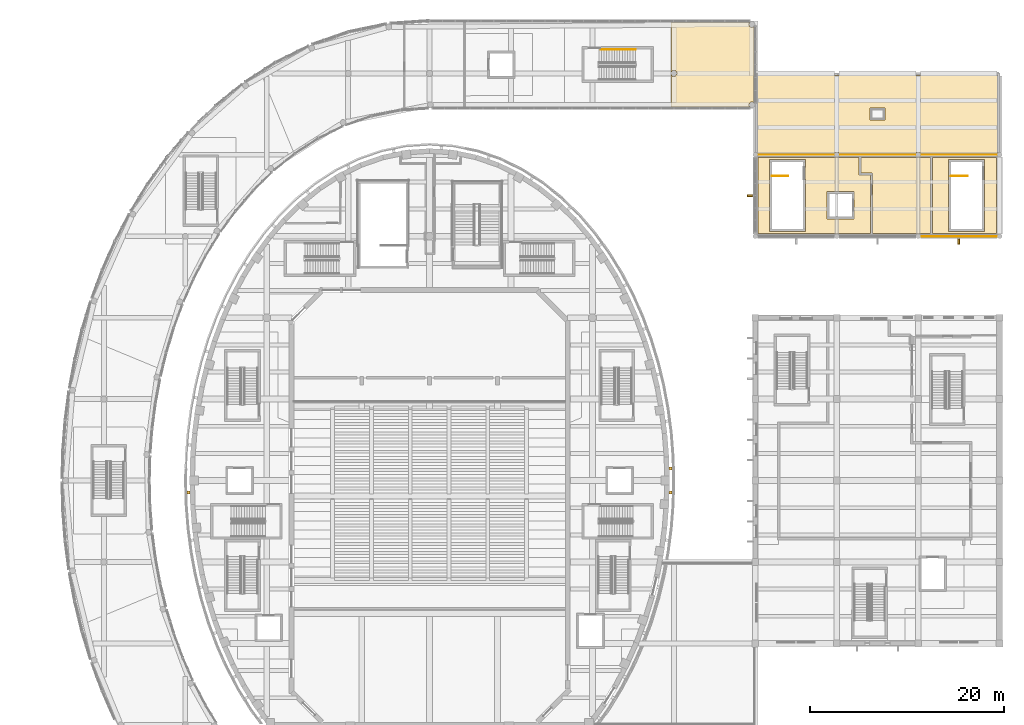
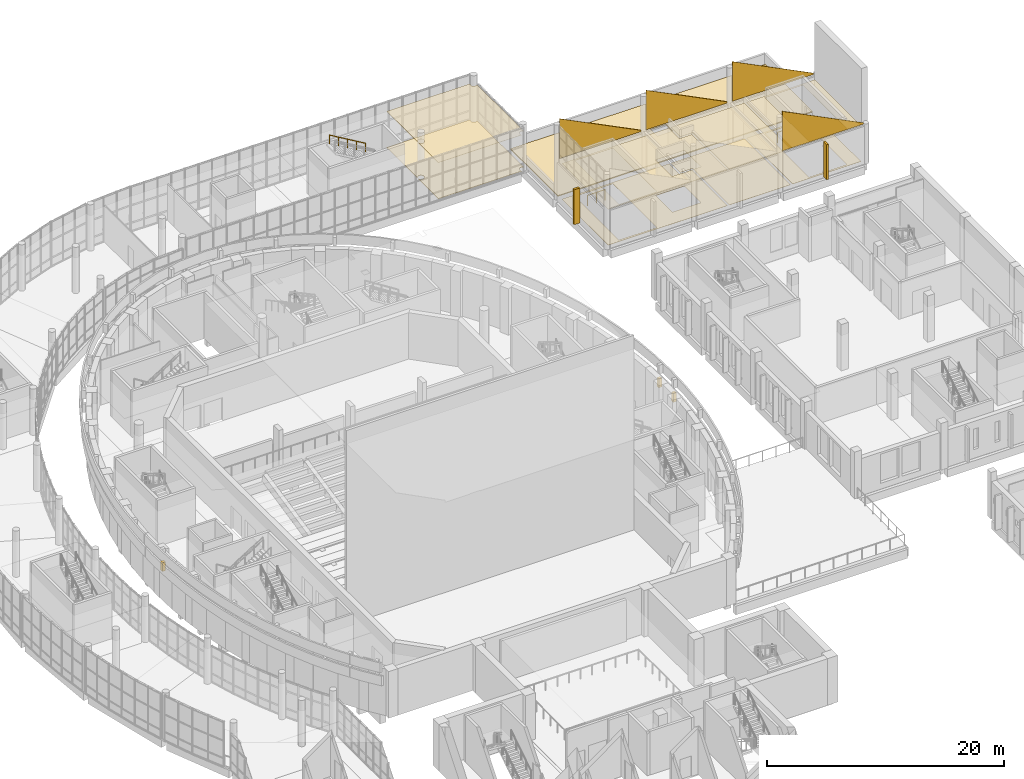
# One storey, part 119 of 119: 18 coverings, 3 railings.
"""IFC4 building model written with IfcOpenShell, lengths in metres."""

from ifc_helpers import new_model, si_unit, direction, frame, origin, origin_2d, place, context, subcontext, project, spatial, polyline, rectangle, circle, outline, extrude, material, layer, layer_set, type_object, element, save


model = new_model("IFC4")

# Units and contexts
model_context = context("Model", 3, precision=1e-05, world=origin(), true_north=direction((0.0, 1.0)))
body_context = subcontext(model_context, "Body", "Model", "MODEL_VIEW")
ifc_project = project(units=[si_unit("LENGTHUNIT", "METRE"), si_unit("AREAUNIT", "SQUARE_METRE"), si_unit("VOLUMEUNIT", "CUBIC_METRE"), si_unit("PLANEANGLEUNIT", "RADIAN"), si_unit("MASSUNIT", "GRAM", prefix="KILO")], contexts=[model_context])

# Site, building, storey
site_placement = place(None, origin())
site = spatial("IfcSite", under=ifc_project, at=site_placement, CompositionType="ELEMENT")
building_placement = place(site_placement, origin())
building = spatial("IfcBuilding", under=site, at=building_placement, Name="Larchfold Concert Hall", CompositionType="ELEMENT")
storey_placement = place(building_placement, frame((0.0, 0.0, 4.800048828125)))
storey = spatial("IfcBuildingStorey", under=building, at=storey_placement, Name="L01", CompositionType="ELEMENT", Elevation=4.800048828125)

# Coverings
ifc_material_1 = material(Name="Mineral fibre ceiling tile")
ifc_layer_1 = layer(ifc_material_1, 0.02001953125)
ifc_layer_set_1 = layer_set([ifc_layer_1], Name="Mineral fibre ceiling tile")
covering_type_1 = type_object("IfcCoveringType", Name="Ceiling mineral fibre tile 20", PredefinedType="CEILING", material=ifc_layer_set_1)
covering_1_placement = place(storey_placement, frame((0.0, 0.0, 3.679931640625)))
element("IfcCovering", 1, at=covering_1_placement, inside=storey, type_object=covering_type_1, Name="Ceiling Corridor 06", PredefinedType="CEILING", context=body_context, shape_type="SweptSolid", body=[
    extrude(outline(polyline([(76.5, 117.89990234375), (76.5, 110.10009765625), (88.098876953125, 110.10009765625), (88.098876953125, 116.09912109375), (88.17919921875, 116.09912109375), (86.902099609375, 116.102783203125), (86.89990234375, 117.899658203125), (87.0, 117.89990234375), (76.5, 117.89990234375)]), holes=[polyline([(86.39990234375, 111.60009765625), (83.60009765625, 111.60009765625), (83.60009765625, 114.39990234375), (86.39990234375, 114.39990234375), (86.39990234375, 111.60009765625)]), polyline([(77.64990234375, 110.300048828125), (77.64990234375, 117.699951171875), (81.35009765625, 117.699951171875), (81.35009765625, 110.300048828125), (77.64990234375, 110.300048828125)])]), origin(), (0.0, 0.0, 1.0), 0.02001953125),
])
covering_2_placement = place(storey_placement, frame((0.0, 0.0, 3.679931640625)))
element("IfcCovering", 2, at=covering_2_placement, inside=storey, type_object=covering_type_1, Name="Ceiling Corridor 05", PredefinedType="CEILING", context=body_context, shape_type="SweptSolid", body=[
    extrude(outline(polyline([(94.451171875, 110.10009765625), (101.099853515625, 110.10009765625), (101.099853515625, 117.89990234375), (94.451171875, 117.89990234375), (94.451171875, 110.10009765625)]), holes=[polyline([(99.85009765625, 117.699951171875), (99.85009765625, 110.300048828125), (96.14990234375, 110.300048828125), (96.14990234375, 117.699951171875), (99.85009765625, 117.699951171875)])]), origin(), (0.0, 0.0, 1.0), 0.02001953125),
])
ifc_material_2 = material(Name="Plasterboard ceiling lining")
ifc_layer_2 = layer(ifc_material_2, 0.030029296875)
ifc_layer_set_2 = layer_set([ifc_layer_2], Name="Plasterboard ceiling lining")
covering_type_2 = type_object("IfcCoveringType", Name="Ceiling suspended plasterboard 30", PredefinedType="CEILING", material=ifc_layer_set_2)
covering_3_placement = place(storey_placement, frame((0.0, 0.0, 3.669921875)))
element("IfcCovering", 3, at=covering_3_placement, inside=storey, type_object=covering_type_2, Name="Ceiling Conductor Practice Room", PredefinedType="CEILING", context=body_context, shape_type="SweptSolid", body=[
    extrude(outline(polyline([(87.10205078125, 116.208251953125), (87.102294921875, 116.302734375), (88.29931640625, 116.298828125), (88.299072265625, 110.10009765625), (94.2509765625, 110.10009765625), (94.2509765625, 117.89990234375), (87.10009765625, 117.89990234375), (87.10205078125, 116.208251953125)])), origin(), (0.0, 0.0, 1.0), 0.030029296875),
])
covering_4_placement = place(storey_placement, frame((0.0, 0.0, 3.719970703125)))
element("IfcCovering", 4, at=covering_4_placement, inside=storey, type_object=covering_type_2, Name="Ceiling Winter Garden Foyer North East", PredefinedType="CEILING", context=body_context, shape_type="SweptSolid", body=[
    extrude(outline(polyline([(75.62744140625, 131.85009765625), (67.49951171875, 131.85009765625), (67.49951171875, 126.650390625), (67.517333984375, 126.717041015625), (67.55712890625, 126.786376953125), (67.613525390625, 126.8427734375), (67.647216796875, 126.865234375), (67.720703125, 126.895751953125), (67.760498046875, 126.903564453125), (67.83984375, 126.903564453125), (67.9169921875, 126.8828125), (67.986328125, 126.843017578125), (68.042724609375, 126.78662109375), (68.065185546875, 126.7529296875), (68.095703125, 126.679443359375), (68.103515625, 126.6396484375), (68.103515625, 126.560302734375), (68.082763671875, 126.483154296875), (68.04296875, 126.413818359375), (67.986572265625, 126.357421875), (67.952880859375, 126.3349609375), (67.87939453125, 126.304443359375), (67.839599609375, 126.296630859375), (67.76025390625, 126.296630859375), (67.68310546875, 126.3173828125), (67.61376953125, 126.357177734375), (67.557373046875, 126.41357421875), (67.534912109375, 126.447265625), (67.50439453125, 126.520751953125), (67.49951171875, 126.546142578125), (67.49951171875, 123.14990234375), (75.62744140625, 123.14990234375), (75.59033203125, 123.2001953125), (75.572998046875, 123.2353515625), (75.552734375, 123.31103515625), (75.550048828125, 123.35009765625), (75.552734375, 123.38916015625), (75.572998046875, 123.46484375), (75.59033203125, 123.5), (75.637939453125, 123.562255859375), (75.7001953125, 123.60986328125), (75.7353515625, 123.627197265625), (75.81103515625, 123.6474609375), (75.85009765625, 123.650146484375), (75.88916015625, 123.6474609375), (75.96484375, 123.627197265625), (76.0, 123.60986328125), (76.050048828125, 123.572998046875), (76.050048828125, 131.427001953125), (76.0, 131.39013671875), (75.96484375, 131.372802734375), (75.927734375, 131.360107421875), (75.85009765625, 131.349853515625), (75.7724609375, 131.360107421875), (75.7353515625, 131.372802734375), (75.66748046875, 131.411865234375), (75.637939453125, 131.437744140625), (75.612060546875, 131.46728515625), (75.572998046875, 131.53515625), (75.552734375, 131.61083984375), (75.550048828125, 131.64990234375), (75.552734375, 131.68896484375), (75.572998046875, 131.7646484375), (75.59033203125, 131.7998046875), (75.62744140625, 131.85009765625)])), origin(), (0.0, 0.0, 1.0), 0.030029296875),
])
ifc_material_3 = material(Name="Polished terrazzo")
ifc_layer_3 = layer(ifc_material_3, 0.0400390625)
ifc_layer_set_3 = layer_set([ifc_layer_3], Name="Polished terrazzo")
covering_type_3 = type_object("IfcCoveringType", Name="Floor finish terrazzo 40", PredefinedType="FLOORING", material=ifc_layer_set_3)
covering_5_placement = place(storey_placement, origin())
element("IfcCovering", 5, at=covering_5_placement, inside=storey, type_object=covering_type_3, Name="Floor finish Winter Garden Foyer North East", PredefinedType="FLOORING", context=body_context, shape_type="SweptSolid", body=[
    extrude(outline(polyline([(75.62744140625, 131.85009765625), (67.49951171875, 131.85009765625), (67.49951171875, 126.650390625), (67.517333984375, 126.717041015625), (67.55712890625, 126.786376953125), (67.613525390625, 126.8427734375), (67.647216796875, 126.865234375), (67.720703125, 126.895751953125), (67.760498046875, 126.903564453125), (67.83984375, 126.903564453125), (67.9169921875, 126.8828125), (67.986328125, 126.843017578125), (68.042724609375, 126.78662109375), (68.065185546875, 126.7529296875), (68.095703125, 126.679443359375), (68.103515625, 126.6396484375), (68.103515625, 126.560302734375), (68.082763671875, 126.483154296875), (68.04296875, 126.413818359375), (67.986572265625, 126.357421875), (67.952880859375, 126.3349609375), (67.87939453125, 126.304443359375), (67.839599609375, 126.296630859375), (67.76025390625, 126.296630859375), (67.68310546875, 126.3173828125), (67.61376953125, 126.357177734375), (67.557373046875, 126.41357421875), (67.534912109375, 126.447265625), (67.50439453125, 126.520751953125), (67.49951171875, 126.546142578125), (67.49951171875, 123.14990234375), (75.62744140625, 123.14990234375), (75.59033203125, 123.2001953125), (75.572998046875, 123.2353515625), (75.552734375, 123.31103515625), (75.550048828125, 123.35009765625), (75.552734375, 123.38916015625), (75.572998046875, 123.46484375), (75.59033203125, 123.5), (75.637939453125, 123.562255859375), (75.7001953125, 123.60986328125), (75.7353515625, 123.627197265625), (75.81103515625, 123.6474609375), (75.85009765625, 123.650146484375), (75.88916015625, 123.6474609375), (75.96484375, 123.627197265625), (76.0, 123.60986328125), (76.050048828125, 123.572998046875), (76.050048828125, 131.427001953125), (76.0, 131.39013671875), (75.96484375, 131.372802734375), (75.927734375, 131.360107421875), (75.85009765625, 131.349853515625), (75.7724609375, 131.360107421875), (75.7353515625, 131.372802734375), (75.66748046875, 131.411865234375), (75.637939453125, 131.437744140625), (75.612060546875, 131.46728515625), (75.572998046875, 131.53515625), (75.552734375, 131.61083984375), (75.550048828125, 131.64990234375), (75.552734375, 131.68896484375), (75.572998046875, 131.7646484375), (75.59033203125, 131.7998046875), (75.62744140625, 131.85009765625)])), origin(), (0.0, 0.0, 1.0), 0.0400390625),
])
ifc_material_4 = material(Name="Linoleum sheet")
ifc_layer_4 = layer(ifc_material_4, 0.02001953125)
ifc_layer_set_4 = layer_set([ifc_layer_4], Name="Linoleum sheet")
covering_type_4 = type_object("IfcCoveringType", Name="Floor finish vinyl 20", PredefinedType="FLOORING", material=ifc_layer_set_4)
covering_6_placement = place(storey_placement, origin())
element("IfcCovering", 6, at=covering_6_placement, inside=storey, type_object=covering_type_4, Name="Floor finish Corridor 06", PredefinedType="FLOORING", context=body_context, shape_type="SweptSolid", body=[
    extrude(outline(polyline([(76.5, 117.89990234375), (76.5, 110.10009765625), (88.098876953125, 110.10009765625), (88.098876953125, 116.09912109375), (88.17919921875, 116.09912109375), (86.902099609375, 116.102783203125), (86.89990234375, 117.899658203125), (87.0, 117.89990234375), (76.5, 117.89990234375)]), holes=[polyline([(86.39990234375, 111.60009765625), (83.60009765625, 111.60009765625), (83.60009765625, 114.39990234375), (86.39990234375, 114.39990234375), (86.39990234375, 111.60009765625)]), polyline([(77.64990234375, 110.300048828125), (77.64990234375, 117.699951171875), (81.35009765625, 117.699951171875), (81.35009765625, 110.300048828125), (77.64990234375, 110.300048828125)])]), origin(), (0.0, 0.0, 1.0), 0.02001953125),
])
covering_7_placement = place(storey_placement, origin())
element("IfcCovering", 7, at=covering_7_placement, inside=storey, type_object=covering_type_4, Name="Floor finish Corridor 05", PredefinedType="FLOORING", context=body_context, shape_type="SweptSolid", body=[
    extrude(outline(polyline([(94.451171875, 110.10009765625), (101.099853515625, 110.10009765625), (101.099853515625, 117.89990234375), (94.451171875, 117.89990234375), (94.451171875, 110.10009765625)]), holes=[polyline([(99.85009765625, 117.699951171875), (99.85009765625, 110.300048828125), (96.14990234375, 110.300048828125), (96.14990234375, 117.699951171875), (99.85009765625, 117.699951171875)])]), origin(), (0.0, 0.0, 1.0), 0.02001953125),
])
covering_8_placement = place(storey_placement, origin())
element("IfcCovering", 8, at=covering_8_placement, inside=storey, type_object=covering_type_4, Name="Floor finish Conductor Practice Room", PredefinedType="FLOORING", context=body_context, shape_type="SweptSolid", body=[
    extrude(outline(polyline([(87.10205078125, 116.208251953125), (87.102294921875, 116.302734375), (88.29931640625, 116.298828125), (88.299072265625, 110.10009765625), (94.2509765625, 110.10009765625), (94.2509765625, 117.89990234375), (87.10009765625, 117.89990234375), (87.10205078125, 116.208251953125)])), origin(), (0.0, 0.0, 1.0), 0.02001953125),
])
ifc_material_5 = material(Name="Charred larch cladding", Category="timber")
ifc_layer_5 = layer(ifc_material_5, 0.030029296875)
ifc_layer_set_5 = layer_set([ifc_layer_5], Name="Charred larch cladding")
covering_type_5 = type_object("IfcCoveringType", Name="Gable closure panel 30", PredefinedType="CLADDING", material=ifc_layer_set_5)
covering_9_placement = place(storey_placement, frame((84.34912109375, 118.22998046875, 4.035888671875), z_axis=(0.0, 1.0, 0.0), x_axis=(-1.0, 0.0, 0.0)))
element("IfcCovering", 9, at=covering_9_placement, inside=storey, type_object=covering_type_5, Name="Gable closure panel RG017", PredefinedType="CLADDING", context=body_context, shape_type="SweptSolid", body=[
    extrude(outline(polyline([(0.0, 0.0), (7.898193359375, 0.0), (7.898193359375, 4.08447265625), (0.0, 0.135498046875), (0.0, 0.0)])), origin(), (0.0, 0.0, -1.0), 0.030029296875),
])
for number, where, z_axis, x_axis, name in (
    (10, (92.7490234375, 118.22998046875, 4.035888671875), (0.0, 1.0, 0.0), (-1.0, 0.0, 0.0), "Gable closure panel RG018"),
    (11, (101.14892578125, 118.22998046875, 4.035888671875), (0.0, 1.0, 0.0), (-1.0, 0.0, 0.0), "Gable closure panel RG019"),
):
    element("IfcCovering", number, at=place(storey_placement, frame(where, z_axis=z_axis, x_axis=x_axis)), inside=storey, type_object=covering_type_5, Name=name, PredefinedType="CLADDING", context=body_context, shape_type="SweptSolid", body=[
        extrude(outline(polyline([(0.0, 0.0), (7.89794921875, 0.0), (7.89794921875, 4.08447265625), (0.0, 0.135498046875), (0.0, 0.0)])), origin(), (0.0, 0.0, -1.0), 0.030029296875),
    ])
covering_10_placement = place(storey_placement, frame((93.2509765625, 109.77001953125, 4.035888671875), z_axis=(0.0, -1.0, 0.0), x_axis=(1.0, 0.0, 0.0)))
element("IfcCovering", 12, at=covering_10_placement, inside=storey, type_object=covering_type_5, Name="Gable closure panel RG025", PredefinedType="CLADDING", context=body_context, shape_type="SweptSolid", body=[
    extrude(outline(polyline([(0.0, 0.0), (7.89794921875, 0.0), (7.89794921875, 0.135498046875), (0.0, 4.08447265625), (0.0, 0.0)])), origin(), (0.0, 0.0, -1.0), 0.030029296875),
])
ifc_material_6 = material(Name="Glulam GL30c", Category="wood")
ifc_layer_6 = layer(ifc_material_6, 0.199951171875)
ifc_layer_set_6 = layer_set([ifc_layer_6], Name="Glulam GL30c")
covering_type_6 = type_object("IfcCoveringType", Name="Glulam fin 200x550", PredefinedType="CLADDING", material=ifc_layer_set_6)
covering_11_placement = place(storey_placement, frame((0.0, 0.0, 0.199951171875)))
element("IfcCovering", 13, at=covering_11_placement, inside=storey, type_object=covering_type_6, Name="Glulam fin FN-L01-047", PredefinedType="CLADDING", context=body_context, shape_type="SweptSolid", body=[
    extrude(outline(polyline([(75.925048828125, 113.89990234375), (75.925048828125, 114.10009765625), (75.375, 114.10009765625), (75.375, 113.89990234375), (75.925048828125, 113.89990234375)])), origin(), (0.0, 0.0, 1.0), 3.599853515625),
])
covering_12_placement = place(storey_placement, frame((0.0, 0.0, 0.199951171875)))
element("IfcCovering", 14, at=covering_12_placement, inside=storey, type_object=covering_type_6, Name="Glulam fin FN-L01-050", PredefinedType="CLADDING", context=body_context, shape_type="SweptSolid", body=[
    extrude(outline(polyline([(97.300048828125, 108.97509765625), (97.300048828125, 109.525146484375), (97.10009765625, 109.525146484375), (97.10009765625, 108.97509765625), (97.300048828125, 108.97509765625)])), origin(), (0.0, 0.0, 1.0), 3.599853515625),
])
ifc_material_7 = material(Name="Galvanised steel bracket", Category="steel")
ifc_layer_7 = layer(ifc_material_7, 0.300048828125)
ifc_layer_set_7 = layer_set([ifc_layer_7], Name="Galvanised steel bracket")
covering_type_7 = type_object("IfcCoveringType", Name="Ring support bracket", PredefinedType="CLADDING", material=ifc_layer_set_7)
for number, where, z_axis, x_axis, name in (
    (15, (67.468505859375, 85.826904296875, 3.35009765625), (0.0, 0.0, 1.0), (0.999668605926, 0.025742539211, 0.0), "Ring bracket BR-R01-01"),
    (16, (17.73193359375, 83.36572265625, 3.35009765625), (0.0, 0.0, 1.0), (-0.999665014874, -0.025881615792, 0.0), "Ring bracket BR-R01-20"),
    (17, (67.46826171875, 83.36572265625, 3.35009765625), (0.0, 0.0, 1.0), (0.999665014874, -0.025881615792, 0.0), "Ring bracket BR-R01-33"),
):
    element("IfcCovering", number, at=place(storey_placement, frame(where, z_axis=z_axis, x_axis=x_axis)), inside=storey, type_object=covering_type_7, Name=name, PredefinedType="CLADDING", context=body_context, shape_type="SweptSolid", body=[
        extrude(rectangle(XDim=0.300048828125, YDim=0.300048828125, at=origin_2d()), origin(), (0.0, 0.0, 1.0), 0.89990234375),
    ])
ifc_material_8 = material(Name="Insulation and bitumen membrane")
ifc_layer_8 = layer(ifc_material_8, 0.10009765625)
ifc_layer_set_8 = layer_set([ifc_layer_8], Name="Insulation and bitumen membrane")
covering_type_8 = type_object("IfcCoveringType", Name="Roof membrane build-up 100", PredefinedType="ROOFING", material=ifc_layer_set_8)
covering_13_placement = place(storey_placement, origin())
element("IfcCovering", 18, at=covering_13_placement, inside=storey, type_object=covering_type_8, Name="Roof covering RC008", PredefinedType="ROOFING", context=body_context, shape_type="SweptSolid", body=[
    extrude(outline(polyline([(76.39990234375, 118.409912109375), (101.199951171875, 118.409912109375), (101.199951171875, 126.400146484375), (76.39990234375, 126.400146484375), (76.39990234375, 118.409912109375)]), holes=[polyline([(89.550048828125, 123.010009765625), (88.050048828125, 123.010009765625), (88.050048828125, 121.809814453125), (89.550048828125, 121.809814453125), (89.550048828125, 123.010009765625)])]), origin(), (0.0, 0.0, 1.0), 0.10009765625),
])

# Railings
ifc_material_9 = material(Name="Stainless steel balustrade", Category="steel")
railing_type_1 = type_object("IfcRailingType", Name="Stair guard 1100", PredefinedType="GUARDRAIL", material=ifc_material_9)
for number, where, name in (
    (19, (77.89990234375, 116.0, 0.0), "Guard GR0075"),
    (20, (96.39990234375, 116.0, 0.0), "Guard GR0076"),
):
    element("IfcRailing", number, at=place(storey_placement, frame(where)), inside=storey, type_object=railing_type_1, Name=name, PredefinedType="GUARDRAIL", context=body_context, shape_type="SweptSolid", body=[
        extrude(circle(Radius=0.02392578125, at=origin_2d()), frame((0.0, 0.0, 1.076171875), z_axis=(1.0, 0.0, 0.0), x_axis=(0.0, 1.0, 0.0)), (0.0, 0.0, 1.0), 1.699951171875),
        extrude(circle(Radius=0.02099609375, at=origin_2d()), origin(), (0.0, 0.0, 1.0), 1.052001953125),
        extrude(circle(Radius=0.02099609375, at=origin_2d()), frame((0.85009765625, 0.0, 0.0)), (0.0, 0.0, 1.0), 1.052001953125),
        extrude(circle(Radius=0.02099609375, at=origin_2d()), frame((1.699951171875, 0.0, 0.0)), (0.0, 0.0, 1.0), 1.052001953125),
    ])
ifc_material_10 = material(Name="Stainless steel handrail", Category="steel")
railing_type_2 = type_object("IfcRailingType", Name="Stair handrail 900", PredefinedType="HANDRAIL", material=ifc_material_10)
railing_placement = place(storey_placement, frame((63.830078125, 129.0498046875, 2.56005859375)))
element("IfcRailing", 21, at=railing_placement, inside=storey, type_object=railing_type_2, Name="Handrail HR0094", PredefinedType="HANDRAIL", context=body_context, shape_type="SweptSolid", body=[
    extrude(circle(Radius=0.02392578125, at=origin_2d()), frame((0.0, 0.0, 0.8759765625), z_axis=(-0.860309897785, 0.0, 0.509771399524), x_axis=(0.0, -1.0, 0.0)), (0.0, 0.0, 1.0), 4.10302734375),
    extrude(circle(Radius=0.02099609375, at=origin_2d()), origin(), (0.0, 0.0, 1.0), 0.851806640625),
    extrude(circle(Radius=0.02099609375, at=origin_2d()), frame((-0.88232421875, 0.0, 0.52294921875)), (0.0, 0.0, 1.0), 0.851806640625),
    extrude(circle(Radius=0.02099609375, at=origin_2d()), frame((-1.764892578125, 0.0, 1.0458984375)), (0.0, 0.0, 1.0), 0.851806640625),
    extrude(circle(Radius=0.02099609375, at=origin_2d()), frame((-2.6474609375, 0.0, 1.568603515625)), (0.0, 0.0, 1.0), 0.851806640625),
    extrude(circle(Radius=0.02099609375, at=origin_2d()), frame((-3.52978515625, 0.0, 2.091552734375)), (0.0, 0.0, 1.0), 0.851806640625),
])

save(model, "model.ifc")
